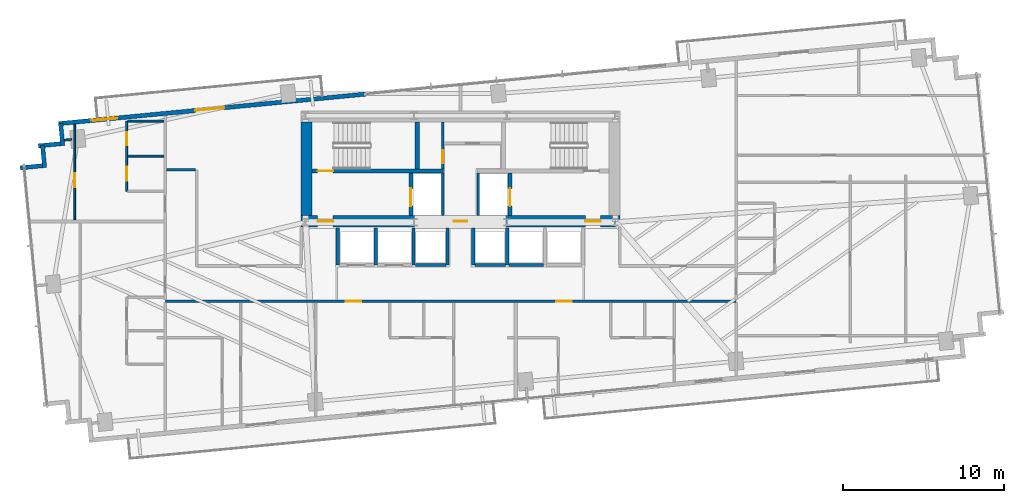
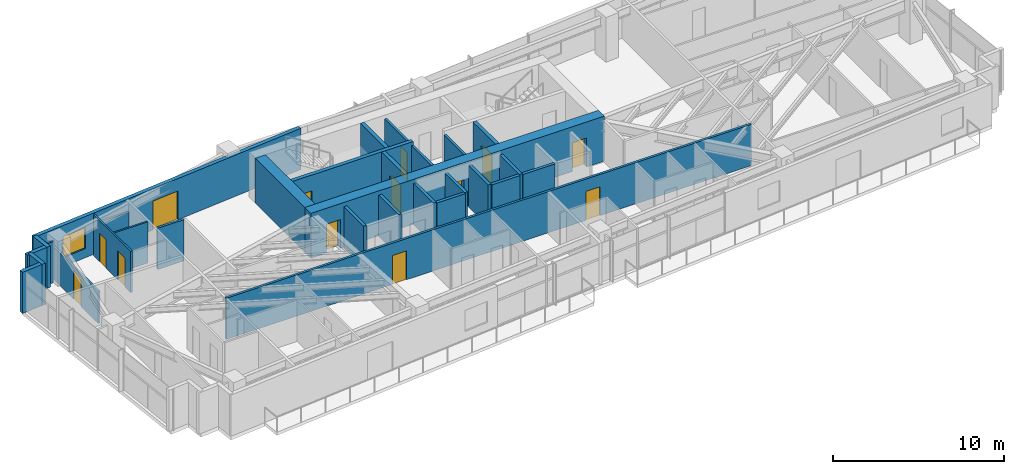
# One storey, part 22 of 27: 30 walls, 13 doors, 1 window, 14 openings.
"""IFC4 building model written with IfcOpenShell, lengths in metres."""

from ifc_helpers import new_model, si_unit, direction, frame, frame_2d, origin, place, context, subcontext, project, spatial, rectangle, extrude, source, transform, mapped, material, layer, layer_set, type_object, type_shapes, element, fill, save


model = new_model("IFC4")

# Units and contexts
model_context = context("Model", 3, precision=1e-05, world=origin(), true_north=direction((0.0, 1.0)))
body_context = subcontext(model_context, "Body", "Model", "MODEL_VIEW")
ifc_project = project(units=[si_unit("LENGTHUNIT", "METRE"), si_unit("AREAUNIT", "SQUARE_METRE"), si_unit("VOLUMEUNIT", "CUBIC_METRE"), si_unit("PLANEANGLEUNIT", "RADIAN"), si_unit("MASSUNIT", "GRAM", prefix="KILO")], contexts=[model_context])

# Site, building, storey
site_placement = place(None, origin())
site = spatial("IfcSite", under=ifc_project, at=site_placement, CompositionType="ELEMENT")
building_placement = place(site_placement, origin())
building = spatial("IfcBuilding", under=site, at=building_placement, Name="Astriad Promenade Condominiums", CompositionType="ELEMENT")
storey_placement = place(building_placement, frame((0.0, 0.0, 90.60009765625)))
storey = spatial("IfcBuildingStorey", under=building, at=storey_placement, Name="L25", CompositionType="ELEMENT", Elevation=90.60009765625)

# Wall, openings, doors
ifc_material_1 = material(Name="Concrete C60/75", Category="concrete")
ifc_layer_1 = layer(ifc_material_1, 0.699951171875)
ifc_layer_set_1 = layer_set([ifc_layer_1], Name="Concrete C60/75")
wall_type_1 = type_object("IfcWallType", Name="CW-SHEAR-700", PredefinedType="SHEAR", material=ifc_layer_set_1)
wall_1_placement = place(storey_placement, frame((26.10009765625, 17.449951171875, 0.0), z_axis=(0.0, 0.0, 1.0), x_axis=(1.0, 0.0, 0.0)))
wall_1 = element("IfcWall", 1, at=wall_1_placement, inside=storey, type_object=wall_type_1, Name="CW-CORE-S-L25", PredefinedType="SHEAR", context=body_context, shape_type="SweptSolid", body=[
    extrude(rectangle(XDim=19.7998046875, YDim=0.699951171875, at=frame_2d((9.89990234375, 0.0))), origin(), (0.0, 0.0, 1.0), 3.199951171875),
])
opening_1_placement = place(wall_1_placement, frame((1.050048828125, 0.0, 0.0)))
opening_1 = element("IfcOpeningElement", 2, at=opening_1_placement, cuts=wall_1, Name="Opening FD90-ST-095", PredefinedType="OPENING", context=body_context, shape_type="SweptSolid", body=[
    extrude(rectangle(XDim=0.949951171875, YDim=2.06005859375, at=frame_2d((0.47509765625, 1.030029296875))), frame((0.0, 0.35986328125, 0.0), z_axis=(0.0, -1.0, 0.0), x_axis=(1.0, 0.0, 0.0)), (0.0, 0.0, 1.0), 0.719970703125),
])
opening_2_placement = place(wall_1_placement, frame((9.47998046875, 0.0, 0.0)))
opening_2 = element("IfcOpeningElement", 3, at=opening_2_placement, cuts=wall_1, Name="Opening FD60-ULOW-085", PredefinedType="OPENING", context=body_context, shape_type="SweptSolid", body=[
    extrude(rectangle(XDim=0.85009765625, YDim=2.0, at=frame_2d((0.425048828125, 1.0))), frame((0.0, 0.35986328125, 0.0), z_axis=(0.0, -1.0, 0.0), x_axis=(1.0, 0.0, 0.0)), (0.0, 0.0, 1.0), 0.719970703125),
])
opening_3_placement = place(wall_1_placement, frame((17.64990234375, 0.0, 0.0)))
opening_3 = element("IfcOpeningElement", 4, at=opening_3_placement, cuts=wall_1, Name="Opening FD90-ST-095", PredefinedType="OPENING", context=body_context, shape_type="SweptSolid", body=[
    extrude(rectangle(XDim=0.949951171875, YDim=2.06005859375, at=frame_2d((0.47509765625, 1.030029296875))), frame((0.0, 0.35986328125, 0.0), z_axis=(0.0, -1.0, 0.0), x_axis=(1.0, 0.0, 0.0)), (0.0, 0.0, 1.0), 0.719970703125),
])
ifc_material_2 = material(Name="Fire-Rated Hollow Metal Stair Door")
door_type_1 = type_object("IfcDoorType", Name="FD90-ST-095", OperationType="NOTDEFINED", PredefinedType="DOOR", material=ifc_material_2)
shared_shape_1 = source(origin(), body_context, "Body", "SweptSolid", [
    extrude(rectangle(XDim=0.949951171875, YDim=2.06005859375, at=frame_2d((0.47509765625, 1.030029296875))), frame((0.0, 0.02490234375, 0.0), z_axis=(0.0, -1.0, 0.0), x_axis=(1.0, 0.0, 0.0)), (0.0, 0.0, 1.0), 0.050048828125),
])
type_shapes(door_type_1, [shared_shape_1])
door_1_placement = place(opening_1_placement, origin())
door_1 = element("IfcDoor", 5, at=door_1_placement, inside=storey, type_object=door_type_1, Name="D-FFW-L25", OperationType="SINGLE_SWING_LEFT", OverallHeight=2.06005859375, OverallWidth=0.949951171875, PredefinedType="DOOR", context=body_context, shape_type="MappedRepresentation", body=[
    mapped(shared_shape_1, transform((0.0, 0.0, 0.0), scale=1.0)),
])
fill(opening_1, door_1)
door_2_placement = place(opening_3_placement, origin())
door_2 = element("IfcDoor", 6, at=door_2_placement, inside=storey, type_object=door_type_1, Name="D-FFE-L25", OperationType="SINGLE_SWING_RIGHT", OverallHeight=2.06005859375, OverallWidth=0.949951171875, PredefinedType="DOOR", context=body_context, shape_type="MappedRepresentation", body=[
    mapped(shared_shape_1, transform((0.0, 0.0, 0.0), scale=1.0)),
])
fill(opening_3, door_2)
ifc_material_3 = material(Name="Solid-Core Low-Headroom Fire Door")
door_type_2 = type_object("IfcDoorType", Name="FD60-ULOW-085", OperationType="NOTDEFINED", PredefinedType="DOOR", material=ifc_material_3)
shared_shape_2 = source(origin(), body_context, "Body", "SweptSolid", [
    extrude(rectangle(XDim=0.85009765625, YDim=2.0, at=frame_2d((0.425048828125, 1.0))), frame((0.0, 0.02490234375, 0.0), z_axis=(0.0, -1.0, 0.0), x_axis=(1.0, 0.0, 0.0)), (0.0, 0.0, 1.0), 0.050048828125),
])
type_shapes(door_type_2, [shared_shape_2])
door_3_placement = place(opening_2_placement, origin())
door_3 = element("IfcDoor", 7, at=door_3_placement, inside=storey, type_object=door_type_2, Name="D-CSL-L25", OperationType="SINGLE_SWING_RIGHT", OverallHeight=2.0, OverallWidth=0.85009765625, PredefinedType="DOOR", context=body_context, shape_type="MappedRepresentation", body=[
    mapped(shared_shape_2, transform((0.0, 0.0, 0.0), scale=1.0)),
])
fill(opening_2, door_3)

# Wall
wall_2_placement = place(storey_placement, frame((26.449951171875, 17.802001953125, 0.0), z_axis=(0.0, 0.0, 1.0), x_axis=(0.0, 1.0, 0.0)))
element("IfcWall", 8, at=wall_2_placement, inside=storey, type_object=wall_type_1, Name="CW-CORE-W-L25", PredefinedType="SHEAR", context=body_context, shape_type="SweptSolid", body=[
    extrude(rectangle(XDim=5.7958984375, YDim=0.699951171875, at=frame_2d((2.89794921875, 0.0))), origin(), (0.0, 0.0, 1.0), 3.199951171875),
])

# Wall, opening, door
ifc_material_4 = material(Name="Concrete C50/60", Category="concrete")
ifc_layer_2 = layer(ifc_material_4, 0.25)
ifc_layer_set_2 = layer_set([ifc_layer_2], Name="Concrete C50/60")
wall_type_2 = type_object("IfcWallType", Name="WALL-CORE-INT-250", PredefinedType="SOLIDWALL", material=ifc_layer_set_2)
wall_3_placement = place(storey_placement, frame((26.802001953125, 20.574951171875, 0.0), z_axis=(0.0, 0.0, 1.0), x_axis=(1.0, 0.0, 0.0)))
wall_3 = element("IfcWall", 9, at=wall_3_placement, inside=storey, type_object=wall_type_2, Name="CW-INT-H1-L25", PredefinedType="SOLIDWALL", context=body_context, shape_type="SweptSolid", body=[
    extrude(rectangle(XDim=8.14794921875, YDim=0.25, at=frame_2d((4.073974609375, 0.0))), origin(), (0.0, 0.0, 1.0), 3.199951171875),
])
opening_4_placement = place(wall_3_placement, frame((0.347900390625, 0.0, 0.0)))
opening_4 = element("IfcOpeningElement", 10, at=opening_4_placement, cuts=wall_3, Name="Opening FD90-ST-095", PredefinedType="OPENING", context=body_context, shape_type="SweptSolid", body=[
    extrude(rectangle(XDim=0.949951171875, YDim=2.06005859375, at=frame_2d((0.47509765625, 1.030029296875))), frame((0.0, 0.135009765625, 0.0), z_axis=(0.0, -1.0, 0.0), x_axis=(1.0, 0.0, 0.0)), (0.0, 0.0, 1.0), 0.27001953125),
])
door_4_placement = place(opening_4_placement, origin())
door_4 = element("IfcDoor", 11, at=door_4_placement, inside=storey, type_object=door_type_1, Name="D-ST1-L25", OperationType="SINGLE_SWING_RIGHT", OverallHeight=2.06005859375, OverallWidth=0.949951171875, PredefinedType="DOOR", context=body_context, shape_type="MappedRepresentation", body=[
    mapped(shared_shape_1, transform((0.0, 0.0, 0.0), scale=1.0)),
])
fill(opening_4, door_4)

# Wall
wall_4_placement = place(storey_placement, frame((33.324951171875, 20.701904296875, 0.0), z_axis=(0.0, 0.0, 1.0), x_axis=(0.0, 1.0, 0.0)))
element("IfcWall", 12, at=wall_4_placement, inside=storey, type_object=wall_type_2, Name="CW-ST1-E-L25", PredefinedType="SOLIDWALL", context=body_context, shape_type="SweptSolid", body=[
    extrude(rectangle(XDim=2.89599609375, YDim=0.25, at=frame_2d((1.447998046875, 0.0))), origin(), (0.0, 0.0, 1.0), 3.199951171875),
])

# Wall, opening, door
wall_5_placement = place(storey_placement, frame((32.925048828125, 17.802001953125, 0.0), z_axis=(0.0, 0.0, 1.0), x_axis=(0.0, 1.0, 0.0)))
wall_5 = element("IfcWall", 13, at=wall_5_placement, inside=storey, type_object=wall_type_2, Name="CW-FFL1-W-L25", PredefinedType="SOLIDWALL", context=body_context, shape_type="SweptSolid", body=[
    extrude(rectangle(XDim=2.64599609375, YDim=0.25, at=frame_2d((1.322998046875, 0.0))), origin(), (0.0, 0.0, 1.0), 3.199951171875),
])
opening_5_placement = place(wall_5_placement, frame((0.597900390625, 0.0, 0.0)))
opening_5 = element("IfcOpeningElement", 14, at=opening_5_placement, cuts=wall_5, Name="Opening LD-FFL-1122", PredefinedType="OPENING", context=body_context, shape_type="SweptSolid", body=[
    extrude(rectangle(XDim=1.10009765625, YDim=2.080078125, at=frame_2d((0.550048828125, 1.0400390625))), frame((0.0, 0.135009765625, 0.0), z_axis=(0.0, -1.0, 0.0), x_axis=(1.0, 0.0, 0.0)), (0.0, 0.0, 1.0), 0.27001953125),
])
ifc_material_5 = material(Name="Brushed Stainless Steel Fire Elevator Landing Door", Category="steel")
door_type_3 = type_object("IfcDoorType", Name="LD-FFL-1122", OperationType="NOTDEFINED", PredefinedType="DOOR", material=ifc_material_5)
shared_shape_3 = source(origin(), body_context, "Body", "SweptSolid", [
    extrude(rectangle(XDim=1.10009765625, YDim=2.080078125, at=frame_2d((0.550048828125, 1.0400390625))), frame((0.0, 0.02490234375, 0.0), z_axis=(0.0, -1.0, 0.0), x_axis=(1.0, 0.0, 0.0)), (0.0, 0.0, 1.0), 0.050048828125),
])
type_shapes(door_type_3, [shared_shape_3])
door_5_placement = place(opening_5_placement, origin())
door_5 = element("IfcDoor", 15, at=door_5_placement, inside=storey, type_object=door_type_3, Name="Elevator Landing Door FFL-1 (L25)", OperationType="SLIDING_TO_LEFT", OverallHeight=2.080078125, OverallWidth=1.10009765625, PredefinedType="DOOR", context=body_context, shape_type="MappedRepresentation", body=[
    mapped(shared_shape_3, transform((0.0, 0.0, 0.0), scale=1.0)),
])
fill(opening_5, door_5)

wall_6_placement = place(storey_placement, frame((39.074951171875, 17.802001953125, 0.0), z_axis=(0.0, 0.0, 1.0), x_axis=(0.0, 1.0, 0.0)))
wall_6 = element("IfcWall", 16, at=wall_6_placement, inside=storey, type_object=wall_type_2, Name="CW-FFL2-E-L25", PredefinedType="SOLIDWALL", context=body_context, shape_type="SweptSolid", body=[
    extrude(rectangle(XDim=2.64599609375, YDim=0.25, at=frame_2d((1.322998046875, 0.0))), origin(), (0.0, 0.0, 1.0), 3.199951171875),
])
opening_6_placement = place(wall_6_placement, frame((0.597900390625, 0.0, 0.0)))
opening_6 = element("IfcOpeningElement", 17, at=opening_6_placement, cuts=wall_6, Name="Opening LD-FFL-1122", PredefinedType="OPENING", context=body_context, shape_type="SweptSolid", body=[
    extrude(rectangle(XDim=1.10009765625, YDim=2.080078125, at=frame_2d((0.550048828125, 1.0400390625))), frame((0.0, 0.135009765625, 0.0), z_axis=(0.0, -1.0, 0.0), x_axis=(1.0, 0.0, 0.0)), (0.0, 0.0, 1.0), 0.27001953125),
])
door_6_placement = place(opening_6_placement, origin())
door_6 = element("IfcDoor", 18, at=door_6_placement, inside=storey, type_object=door_type_3, Name="Elevator Landing Door FFL-2 (L25)", OperationType="SLIDING_TO_RIGHT", OverallHeight=2.080078125, OverallWidth=1.10009765625, PredefinedType="DOOR", context=body_context, shape_type="MappedRepresentation", body=[
    mapped(shared_shape_3, transform((0.0, 0.0, 0.0), scale=1.0)),
])
fill(opening_6, door_6)

# Walls
ifc_material_6 = material(Name="Fire-Rated Gypsum Partition")
ifc_layer_3 = layer(ifc_material_6, 0.159912109375)
ifc_layer_set_3 = layer_set([ifc_layer_3], Name="Fire-Rated Gypsum Partition")
wall_type_3 = type_object("IfcWallType", Name="WALL-CORR-160", PredefinedType="PARTITIONING", material=ifc_layer_set_3)
for number, where, z_axis, x_axis, name in (
    (19, (34.89990234375, 17.802001953125, 0.0), (0.0, 0.0, 1.0), (0.0, 1.0, 0.0), "CW-FFL1-E-L25"),
    (20, (37.10009765625, 17.802001953125, 0.0), (0.0, 0.0, 1.0), (0.0, 1.0, 0.0), "CW-FFL2-W-L25"),
):
    element("IfcWall", number, at=place(storey_placement, frame(where, z_axis=z_axis, x_axis=x_axis)), inside=storey, type_object=wall_type_3, Name=name, PredefinedType="PARTITIONING", context=body_context, shape_type="SweptSolid", body=[
        extrude(rectangle(XDim=2.64599609375, YDim=0.159912109375, at=frame_2d((1.322998046875, 0.0))), origin(), (0.0, 0.0, 1.0), 2.93994140625),
    ])

# Wall, opening, door
wall_7_placement = place(storey_placement, frame((34.89990234375, 20.701904296875, 0.0), z_axis=(0.0, 0.0, 1.0), x_axis=(0.0, 1.0, 0.0)))
wall_7 = element("IfcWall", 21, at=wall_7_placement, inside=storey, type_object=wall_type_3, Name="CW-AUX-W-L25", PredefinedType="PARTITIONING", context=body_context, shape_type="SweptSolid", body=[
    extrude(rectangle(XDim=2.89599609375, YDim=0.159912109375, at=frame_2d((1.447998046875, 0.0))), origin(), (0.0, 0.0, 1.0), 2.93994140625),
])
opening_7_placement = place(wall_7_placement, frame((0.347900390625, 0.0, 0.0)))
opening_7 = element("IfcOpeningElement", 22, at=opening_7_placement, cuts=wall_7, Name="Opening FD60-SV-080", PredefinedType="OPENING", context=body_context, shape_type="SweptSolid", body=[
    extrude(rectangle(XDim=0.800048828125, YDim=2.050048828125, at=frame_2d((0.39990234375, 1.02490234375))), frame((0.0, 0.08984375, 0.0), z_axis=(0.0, -1.0, 0.0), x_axis=(1.0, 0.0, 0.0)), (0.0, 0.0, 1.0), 0.179931640625),
])
ifc_material_7 = material(Name="Fire-Rated Riser Closet Door")
door_type_4 = type_object("IfcDoorType", Name="FD60-SV-080", OperationType="NOTDEFINED", PredefinedType="DOOR", material=ifc_material_7)
shared_shape_4 = source(origin(), body_context, "Body", "SweptSolid", [
    extrude(rectangle(XDim=0.800048828125, YDim=2.050048828125, at=frame_2d((0.39990234375, 1.02490234375))), frame((0.0, 0.02490234375, 0.0), z_axis=(0.0, -1.0, 0.0), x_axis=(1.0, 0.0, 0.0)), (0.0, 0.0, 1.0), 0.050048828125),
])
type_shapes(door_type_4, [shared_shape_4])
door_7_placement = place(opening_7_placement, origin())
door_7 = element("IfcDoor", 23, at=door_7_placement, inside=storey, type_object=door_type_4, Name="D-AUX1-L25", OperationType="SINGLE_SWING_RIGHT", OverallHeight=2.050048828125, OverallWidth=0.800048828125, PredefinedType="DOOR", context=body_context, shape_type="MappedRepresentation", body=[
    mapped(shared_shape_4, transform((0.0, 0.0, 0.0), scale=1.0)),
])
fill(opening_7, door_7)

# Wall, openings, doors
wall_8_placement = place(storey_placement, frame((17.699951171875, 12.489990234375, 0.0), z_axis=(0.0, 0.0, 1.0), x_axis=(1.0, 0.0, 0.0)))
wall_8 = element("IfcWall", 24, at=wall_8_placement, inside=storey, type_object=wall_type_3, Name="PT-COR-S-L25", PredefinedType="PARTITIONING", context=body_context, shape_type="SweptSolid", body=[
    extrude(rectangle(XDim=35.400146484375, YDim=0.159912109375, at=frame_2d((17.7001953125, 0.0))), origin(), (0.0, 0.0, 1.0), 2.93994140625),
])
opening_8_placement = place(wall_8_placement, frame((11.18994140625, 0.0, 0.0)))
opening_8 = element("IfcOpeningElement", 25, at=opening_8_placement, cuts=wall_8, Name="Opening FD60-APT-095", PredefinedType="OPENING", context=body_context, shape_type="SweptSolid", body=[
    extrude(rectangle(XDim=0.949951171875, YDim=2.06005859375, at=frame_2d((0.47509765625, 1.030029296875))), frame((0.0, 0.08984375, 0.0), z_axis=(0.0, -1.0, 0.0), x_axis=(1.0, 0.0, 0.0)), (0.0, 0.0, 1.0), 0.179931640625),
])
opening_9_placement = place(wall_8_placement, frame((24.25, 0.0, 0.0)))
opening_9 = element("IfcOpeningElement", 26, at=opening_9_placement, cuts=wall_8, Name="Opening FD60-APT-095", PredefinedType="OPENING", context=body_context, shape_type="SweptSolid", body=[
    extrude(rectangle(XDim=0.949951171875, YDim=2.06005859375, at=frame_2d((0.47509765625, 1.030029296875))), frame((0.0, 0.08984375, 0.0), z_axis=(0.0, -1.0, 0.0), x_axis=(1.0, 0.0, 0.0)), (0.0, 0.0, 1.0), 0.179931640625),
])
ifc_material_8 = material(Name="Solid-Core Acoustic Timber Residence Entry Door", Category="wood")
door_type_5 = type_object("IfcDoorType", Name="FD60-APT-095", OperationType="NOTDEFINED", PredefinedType="DOOR", material=ifc_material_8)
shared_shape_5 = source(origin(), body_context, "Body", "SweptSolid", [
    extrude(rectangle(XDim=0.949951171875, YDim=2.06005859375, at=frame_2d((0.47509765625, 1.030029296875))), frame((0.0, 0.02490234375, 0.0), z_axis=(0.0, -1.0, 0.0), x_axis=(1.0, 0.0, 0.0)), (0.0, 0.0, 1.0), 0.050048828125),
])
type_shapes(door_type_5, [shared_shape_5])
door_8_placement = place(opening_8_placement, origin())
door_8 = element("IfcDoor", 27, at=door_8_placement, inside=storey, type_object=door_type_5, Name="D-ENT-L25-S1", OperationType="SINGLE_SWING_LEFT", OverallHeight=2.06005859375, OverallWidth=0.949951171875, PredefinedType="DOOR", context=body_context, shape_type="MappedRepresentation", body=[
    mapped(shared_shape_5, transform((0.0, 0.0, 0.0), scale=1.0)),
])
fill(opening_8, door_8)
door_9_placement = place(opening_9_placement, origin())
door_9 = element("IfcDoor", 28, at=door_9_placement, inside=storey, type_object=door_type_5, Name="D-ENT-L25-S2", OperationType="SINGLE_SWING_RIGHT", OverallHeight=2.06005859375, OverallWidth=0.949951171875, PredefinedType="DOOR", context=body_context, shape_type="MappedRepresentation", body=[
    mapped(shared_shape_5, transform((0.0, 0.0, 0.0), scale=1.0)),
])
fill(opening_9, door_9)

# Walls
wall_9_placement = place(storey_placement, frame((17.781982421875, 20.64990234375, 0.0), z_axis=(0.0, 0.0, 1.0), x_axis=(1.0, 0.0, 0.0)))
element("IfcWall", 29, at=wall_9_placement, inside=storey, type_object=wall_type_3, Name="PT-WALC-N-L25", PredefinedType="PARTITIONING", context=body_context, shape_type="SweptSolid", body=[
    extrude(rectangle(XDim=1.7861328125, YDim=0.159912109375, at=frame_2d((0.89306640625, 0.0))), origin(), (0.0, 0.0, 1.0), 2.93994140625),
])
ifc_material_9 = material(Name="Precast concrete C50/60", Category="concrete")
ifc_layer_4 = layer(ifc_material_9, 0.260009765625)
ifc_layer_set_4 = layer_set([ifc_layer_4], Name="Precast concrete C50/60")
wall_type_4 = type_object("IfcWallType", Name="WALL-EXT-TWR-260", PredefinedType="STANDARD", material=ifc_layer_set_4)
for number, where, z_axis, x_axis, name in (
    (30, (8.701416015625, 20.767333984375, 0.0), (0.0, 0.0, 1.0), (0.995391056452, 0.09589913835, 0.0), "W-SER-L25-04"),
    (31, (10.216796875, 20.78271484375, 0.0), (0.0, 0.0, 1.0), (-0.095725744959, 0.99540774648, 0.0), "W-SER-L25-05"),
):
    element("IfcWall", number, at=place(storey_placement, frame(where, z_axis=z_axis, x_axis=x_axis)), inside=storey, type_object=wall_type_4, Name=name, PredefinedType="STANDARD", context=body_context, shape_type="SweptSolid", body=[
        extrude(rectangle(XDim=1.39501953125, YDim=0.260009765625, at=frame_2d((0.697509765625, 0.0))), origin(), (0.0, 0.0, 1.0), 2.93994140625),
    ])
wall_10_placement = place(storey_placement, frame((9.825927734375, 22.13134765625, 0.0), z_axis=(0.0, 0.0, 1.0), x_axis=(0.995389446633, 0.095915846097, 0.0)))
element("IfcWall", 32, at=wall_10_placement, inside=storey, type_object=wall_type_4, Name="W-SER-L25-06", PredefinedType="STANDARD", context=body_context, shape_type="SweptSolid", body=[
    extrude(rectangle(XDim=1.394775390625, YDim=0.260009765625, at=frame_2d((0.697265625, 0.0))), origin(), (0.0, 0.0, 1.0), 2.93994140625),
])
wall_11_placement = place(storey_placement, frame((11.34130859375, 22.146728515625, 0.0), z_axis=(0.0, 0.0, 1.0), x_axis=(-0.09589913835, 0.995391056452, 0.0)))
element("IfcWall", 33, at=wall_11_placement, inside=storey, type_object=wall_type_4, Name="W-SER-L25-07", PredefinedType="STANDARD", context=body_context, shape_type="SweptSolid", body=[
    extrude(rectangle(XDim=1.39501953125, YDim=0.260009765625, at=frame_2d((0.697509765625, 0.0))), origin(), (0.0, 0.0, 1.0), 2.93994140625),
])

# Wall, openings, door, window
wall_12_placement = place(storey_placement, frame((11.07958984375, 23.508056640625, 0.0), z_axis=(0.0, 0.0, 1.0), x_axis=(0.995396638587, 0.095841180552, 0.0)))
wall_12 = element("IfcWall", 34, at=wall_12_placement, inside=storey, type_object=wall_type_4, Name="W-EXT-L25-N1", PredefinedType="STANDARD", context=body_context, shape_type="SweptSolid", body=[
    extrude(rectangle(XDim=19.110107421875, YDim=0.260009765625, at=frame_2d((9.55517578125, 0.0))), origin(), (0.0, 0.0, 1.0), 2.93994140625),
])
opening_10_placement = place(wall_12_placement, frame((8.513916015625, 0.0, 0.0)))
opening_10 = element("IfcOpeningElement", 35, at=opening_10_placement, cuts=wall_12, Name="Opening BD-1822-SLD", PredefinedType="OPENING", context=body_context, shape_type="SweptSolid", body=[
    extrude(rectangle(XDim=1.800048828125, YDim=2.06005859375, at=frame_2d((0.89990234375, 1.030029296875))), frame((0.0, 0.139892578125, 0.0), z_axis=(0.0, -1.0, 0.0), x_axis=(1.0, 0.0, 0.0)), (0.0, 0.0, 1.0), 0.280029296875),
])
opening_11_placement = place(wall_12_placement, frame((2.050048828125, 0.0, 0.64990234375)))
opening_11 = element("IfcOpeningElement", 36, at=opening_11_placement, cuts=wall_12, Name="Opening WIN-TWR-1620", PredefinedType="OPENING", context=body_context, shape_type="SweptSolid", body=[
    extrude(rectangle(XDim=1.60009765625, YDim=1.5, at=frame_2d((0.800048828125, 0.75))), frame((0.0, 0.139892578125, 0.0), z_axis=(0.0, -1.0, 0.0), x_axis=(1.0, 0.0, 0.0)), (0.0, 0.0, 1.0), 0.280029296875),
])
ifc_material_10 = material(Name="Thermally Broken Aluminium Sliding Balcony Door", Category="aluminium")
door_type_6 = type_object("IfcDoorType", Name="BD-1822-SLD", OperationType="NOTDEFINED", PredefinedType="DOOR", material=ifc_material_10)
shared_shape_6 = source(origin(), body_context, "Body", "SweptSolid", [
    extrude(rectangle(XDim=1.800048828125, YDim=2.06005859375, at=frame_2d((0.89990234375, 1.030029296875))), frame((0.0, 0.02490234375, 0.0), z_axis=(0.0, -1.0, 0.0), x_axis=(1.0, 0.0, 0.0)), (0.0, 0.0, 1.0), 0.050048828125),
])
type_shapes(door_type_6, [shared_shape_6])
door_10_placement = place(opening_10_placement, origin())
door_10 = element("IfcDoor", 37, at=door_10_placement, inside=storey, type_object=door_type_6, Name="BD-L25-NW", OperationType="SLIDING_TO_LEFT", OverallHeight=2.06005859375, OverallWidth=1.800048828125, PredefinedType="DOOR", context=body_context, shape_type="MappedRepresentation", body=[
    mapped(shared_shape_6, transform((0.0, 0.0, 0.0), scale=1.0)),
])
fill(opening_10, door_10)
ifc_material_11 = material(Name="Dark Tinted Triple-Glazed Aluminium Window", Category="aluminium")
window_type = type_object("IfcWindowType", Name="WIN-TWR-1620", PartitioningType="SINGLE_PANEL", PredefinedType="WINDOW", material=ifc_material_11)
shared_shape_7 = source(origin(), body_context, "Body", "SweptSolid", [
    extrude(rectangle(XDim=1.60009765625, YDim=1.5, at=frame_2d((0.800048828125, 0.75))), frame((0.0, 0.030029296875, 0.0), z_axis=(0.0, -1.0, 0.0), x_axis=(1.0, 0.0, 0.0)), (0.0, 0.0, 1.0), 0.06005859375),
])
type_shapes(window_type, [shared_shape_7])
window_placement = place(opening_11_placement, origin())
window = element("IfcWindow", 38, at=window_placement, inside=storey, type_object=window_type, Name="WIN-L25-NW", OverallHeight=1.5, OverallWidth=1.60009765625, PartitioningType="SINGLE_PANEL", PredefinedType="WINDOW", context=body_context, shape_type="MappedRepresentation", body=[
    mapped(shared_shape_7, transform((0.0, 0.0, 0.0), scale=1.0)),
])
fill(opening_11, window)

# Wall, openings, doors
ifc_material_12 = material(Name="Acoustic Metal-Stud Gypsum Partition")
ifc_layer_5 = layer(ifc_material_12, 0.1201171875)
ifc_layer_set_5 = layer_set([ifc_layer_5], Name="Acoustic Metal-Stud Gypsum Partition")
wall_type_5 = type_object("IfcWallType", Name="WALL-PART-120", PredefinedType="PARTITIONING", material=ifc_layer_set_5)
wall_13_placement = place(storey_placement, frame((15.300048828125, 19.320068359375, 0.0), z_axis=(0.0, 0.0, 1.0), x_axis=(0.0, 1.0, 0.0)))
wall_13 = element("IfcWall", 39, at=wall_13_placement, inside=storey, type_object=wall_type_5, Name="PT-L25-W2-PV", PredefinedType="PARTITIONING", context=body_context, shape_type="SweptSolid", body=[
    extrude(rectangle(XDim=4.349853515625, YDim=0.1201171875, at=frame_2d((2.1748046875, 0.0))), origin(), (0.0, 0.0, 1.0), 2.93994140625),
])
opening_12_placement = place(wall_13_placement, frame((0.662109375, 0.0, 0.0)))
opening_12 = element("IfcOpeningElement", 40, at=opening_12_placement, cuts=wall_13, Name="Opening D-INT-085", PredefinedType="OPENING", context=body_context, shape_type="SweptSolid", body=[
    extrude(rectangle(XDim=0.85009765625, YDim=2.050048828125, at=frame_2d((0.425048828125, 1.02490234375))), frame((0.0, 0.070068359375, 0.0), z_axis=(0.0, -1.0, 0.0), x_axis=(1.0, 0.0, 0.0)), (0.0, 0.0, 1.0), 0.14013671875),
])
opening_13_placement = place(wall_13_placement, frame((2.863037109375, 0.0, 0.0)))
opening_13 = element("IfcOpeningElement", 41, at=opening_13_placement, cuts=wall_13, Name="Opening D-WET-080", PredefinedType="OPENING", context=body_context, shape_type="SweptSolid", body=[
    extrude(rectangle(XDim=0.800048828125, YDim=2.02001953125, at=frame_2d((0.39990234375, 1.010009765625))), frame((0.0, 0.070068359375, 0.0), z_axis=(0.0, -1.0, 0.0), x_axis=(1.0, 0.0, 0.0)), (0.0, 0.0, 1.0), 0.14013671875),
])
ifc_material_13 = material(Name="Moisture-Resistant Timber Bathroom Door", Category="wood")
door_type_7 = type_object("IfcDoorType", Name="D-WET-080", OperationType="NOTDEFINED", PredefinedType="DOOR", material=ifc_material_13)
shared_shape_8 = source(origin(), body_context, "Body", "SweptSolid", [
    extrude(rectangle(XDim=0.800048828125, YDim=2.02001953125, at=frame_2d((0.39990234375, 1.010009765625))), frame((0.0, 0.02490234375, 0.0), z_axis=(0.0, -1.0, 0.0), x_axis=(1.0, 0.0, 0.0)), (0.0, 0.0, 1.0), 0.050048828125),
])
type_shapes(door_type_7, [shared_shape_8])
door_11_placement = place(opening_13_placement, origin())
door_11 = element("IfcDoor", 42, at=door_11_placement, inside=storey, type_object=door_type_7, Name="D-BTH-L25-W2", OperationType="SINGLE_SWING_RIGHT", OverallHeight=2.02001953125, OverallWidth=0.800048828125, PredefinedType="DOOR", context=body_context, shape_type="MappedRepresentation", body=[
    mapped(shared_shape_8, transform((0.0, 0.0, 0.0), scale=1.0)),
])
fill(opening_13, door_11)
ifc_material_14 = material(Name="Painted Solid-Core Timber Room Door", Category="wood")
door_type_8 = type_object("IfcDoorType", Name="D-INT-085", OperationType="NOTDEFINED", PredefinedType="DOOR", material=ifc_material_14)
shared_shape_9 = source(origin(), body_context, "Body", "SweptSolid", [
    extrude(rectangle(XDim=0.85009765625, YDim=2.050048828125, at=frame_2d((0.425048828125, 1.02490234375))), frame((0.0, 0.02490234375, 0.0), z_axis=(0.0, -1.0, 0.0), x_axis=(1.0, 0.0, 0.0)), (0.0, 0.0, 1.0), 0.050048828125),
])
type_shapes(door_type_8, [shared_shape_9])
door_12_placement = place(opening_12_placement, origin())
door_12 = element("IfcDoor", 43, at=door_12_placement, inside=storey, type_object=door_type_8, Name="D-KIT-L25-W2", OperationType="SINGLE_SWING_LEFT", OverallHeight=2.050048828125, OverallWidth=0.85009765625, PredefinedType="DOOR", context=body_context, shape_type="MappedRepresentation", body=[
    mapped(shared_shape_9, transform((0.0, 0.0, 0.0), scale=1.0)),
])
fill(opening_12, door_12)

# Walls
wall_14_placement = place(storey_placement, frame((15.362060546875, 21.4951171875, 0.0), z_axis=(0.0, 0.0, 1.0), x_axis=(1.0, 0.0, 0.0)))
element("IfcWall", 44, at=wall_14_placement, inside=storey, type_object=wall_type_5, Name="PT-L25-W2-PM", PredefinedType="PARTITIONING", context=body_context, shape_type="SweptSolid", body=[
    extrude(rectangle(XDim=2.255859375, YDim=0.1201171875, at=frame_2d((1.1279296875, 0.0))), origin(), (0.0, 0.0, 1.0), 2.93994140625),
])
wall_15_placement = place(storey_placement, frame((15.362060546875, 23.669921875, 0.0), z_axis=(0.0, 0.0, 1.0), x_axis=(1.0, 0.0, 0.0)))
element("IfcWall", 45, at=wall_15_placement, inside=storey, type_object=wall_type_5, Name="PT-L25-W2-PN", PredefinedType="PARTITIONING", context=body_context, shape_type="SweptSolid", body=[
    extrude(rectangle(XDim=2.255859375, YDim=0.1201171875, at=frame_2d((1.1279296875, 0.0))), origin(), (0.0, 0.0, 1.0), 2.309814453125),
])

# Wall, opening, door
wall_16_placement = place(storey_placement, frame((12.083984375, 17.552001953125, 0.0), z_axis=(0.0, 0.0, 1.0), x_axis=(0.0, 1.0, 0.0)))
wall_16 = element("IfcWall", 46, at=wall_16_placement, inside=storey, type_object=wall_type_5, Name="PT-L25-W2-B1", PredefinedType="PARTITIONING", context=body_context, shape_type="SweptSolid", body=[
    extrude(rectangle(XDim=5.920166015625, YDim=0.1201171875, at=frame_2d((2.9599609375, 0.0))), origin(), (0.0, 0.0, 1.0), 2.309814453125),
])
opening_14_placement = place(wall_16_placement, frame((2.02197265625, 0.0, 0.0)))
opening_14 = element("IfcOpeningElement", 47, at=opening_14_placement, cuts=wall_16, Name="Opening D-INT-085", PredefinedType="OPENING", context=body_context, shape_type="SweptSolid", body=[
    extrude(rectangle(XDim=0.85009765625, YDim=2.050048828125, at=frame_2d((0.425048828125, 1.02490234375))), frame((0.0, 0.070068359375, 0.0), z_axis=(0.0, -1.0, 0.0), x_axis=(1.0, 0.0, 0.0)), (0.0, 0.0, 1.0), 0.14013671875),
])
door_13_placement = place(opening_14_placement, origin())
door_13 = element("IfcDoor", 48, at=door_13_placement, inside=storey, type_object=door_type_8, Name="D-BD1-L25-W2", OperationType="SINGLE_SWING_LEFT", OverallHeight=2.050048828125, OverallWidth=0.85009765625, PredefinedType="DOOR", context=body_context, shape_type="MappedRepresentation", body=[
    mapped(shared_shape_9, transform((0.0, 0.0, 0.0), scale=1.0)),
])
fill(opening_14, door_13)

# Walls
wall_17_placement = place(storey_placement, frame((11.89697265625, 22.53173828125, 0.0), z_axis=(0.0, 0.0, 1.0), x_axis=(-0.995384576284, -0.09596637586, 0.0)))
element("IfcWall", 49, at=wall_17_placement, inside=storey, type_object=wall_type_5, Name="PT-PIL-L25-PC06-13", PredefinedType="PARTITIONING", context=body_context, shape_type="SweptSolid", body=[
    extrude(rectangle(XDim=0.4580078125, YDim=0.1201171875, at=frame_2d((0.22900390625, 0.0))), origin(), (0.0, 0.0, 1.0), 2.93994140625),
])
ifc_material_15 = material(Name="Gypsum Shaftliner Assembly")
ifc_layer_6 = layer(ifc_material_15, 0.199951171875)
ifc_layer_set_6 = layer_set([ifc_layer_6], Name="Gypsum Shaftliner Assembly")
wall_type_6 = type_object("IfcWallType", Name="WALL-SHAFT-200", PredefinedType="PARTITIONING", material=ifc_layer_set_6)
for number, where, z_axis, x_axis, name in (
    (50, (28.39990234375, 14.75, 0.0), (0.0, 0.0, 1.0), (0.0, 1.0, 0.0), "PL-W-OUT-L25"),
    (51, (30.75, 14.75, 0.0), (0.0, 0.0, 1.0), (0.0, 1.0, 0.0), "PL-L-DIV-L25"),
    (52, (33.10009765625, 14.75, 0.0), (0.0, 0.0, 1.0), (0.0, 1.0, 0.0), "PL-LM-DIV-L25"),
    (53, (35.199951171875, 14.75, 0.0), (0.0, 0.0, 1.0), (0.0, 1.0, 0.0), "PL-M1-E-L25"),
):
    element("IfcWall", number, at=place(storey_placement, frame(where, z_axis=z_axis, x_axis=x_axis)), inside=storey, type_object=wall_type_6, Name=name, PredefinedType="PARTITIONING", context=body_context, shape_type="SweptSolid", body=[
        extrude(rectangle(XDim=2.300048828125, YDim=0.199951171875, at=frame_2d((1.14990234375, 0.0))), origin(), (0.0, 0.0, 1.0), 2.93994140625),
    ])
wall_18_placement = place(storey_placement, frame((33.201904296875, 14.75, 0.0), z_axis=(0.0, 0.0, 1.0), x_axis=(1.0, 0.0, 0.0)))
element("IfcWall", 54, at=wall_18_placement, inside=storey, type_object=wall_type_6, Name="PL-M1-F-L25", PredefinedType="PARTITIONING", context=body_context, shape_type="SweptSolid", body=[
    extrude(rectangle(XDim=1.89599609375, YDim=0.199951171875, at=frame_2d((0.947998046875, 0.0))), origin(), (0.0, 0.0, 1.0), 2.93994140625),
])
for number, where, z_axis, x_axis, name in (
    (55, (36.800048828125, 14.75, 0.0), (0.0, 0.0, 1.0), (0.0, 1.0, 0.0), "PL-M2-W-L25"),
    (56, (38.89990234375, 14.75, 0.0), (0.0, 0.0, 1.0), (0.0, 1.0, 0.0), "PL-MH-DIV-L25"),
):
    element("IfcWall", number, at=place(storey_placement, frame(where, z_axis=z_axis, x_axis=x_axis)), inside=storey, type_object=wall_type_6, Name=name, PredefinedType="PARTITIONING", context=body_context, shape_type="SweptSolid", body=[
        extrude(rectangle(XDim=2.300048828125, YDim=0.199951171875, at=frame_2d((1.14990234375, 0.0))), origin(), (0.0, 0.0, 1.0), 2.93994140625),
    ])
wall_19_placement = place(storey_placement, frame((36.902099609375, 14.75, 0.0), z_axis=(0.0, 0.0, 1.0), x_axis=(1.0, 0.0, 0.0)))
element("IfcWall", 57, at=wall_19_placement, inside=storey, type_object=wall_type_6, Name="PL-M2-F-L25", PredefinedType="PARTITIONING", context=body_context, shape_type="SweptSolid", body=[
    extrude(rectangle(XDim=1.89599609375, YDim=0.199951171875, at=frame_2d((0.947998046875, 0.0))), origin(), (0.0, 0.0, 1.0), 2.93994140625),
])
wall_20_placement = place(storey_placement, frame((39.001953125, 14.75, 0.0), z_axis=(0.0, 0.0, 1.0), x_axis=(1.0, 0.0, 0.0)))
element("IfcWall", 58, at=wall_20_placement, inside=storey, type_object=wall_type_6, Name="PL-H-FRT-L25", PredefinedType="PARTITIONING", context=body_context, shape_type="SweptSolid", body=[
    extrude(rectangle(XDim=2.14599609375, YDim=0.199951171875, at=frame_2d((1.072998046875, 0.0))), origin(), (0.0, 0.0, 1.0), 2.93994140625),
])

save(model, "model.ifc")
